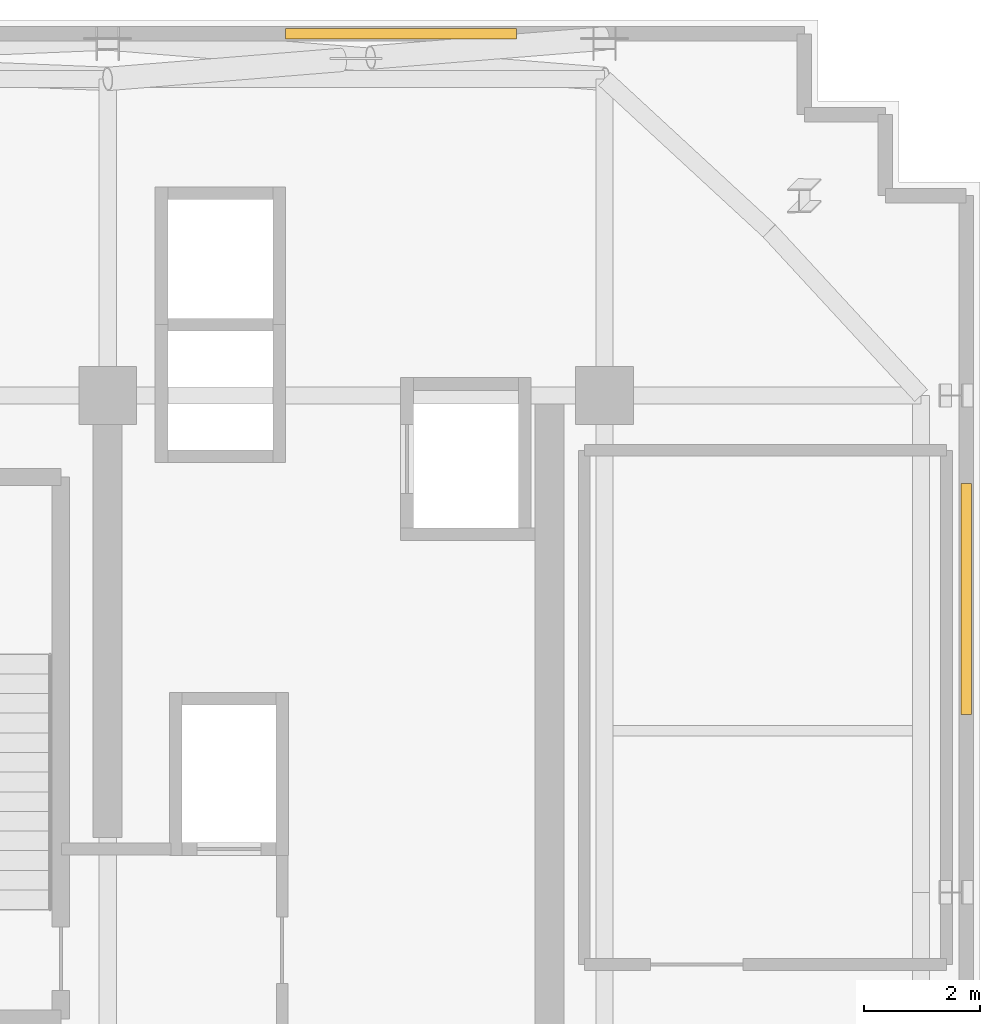
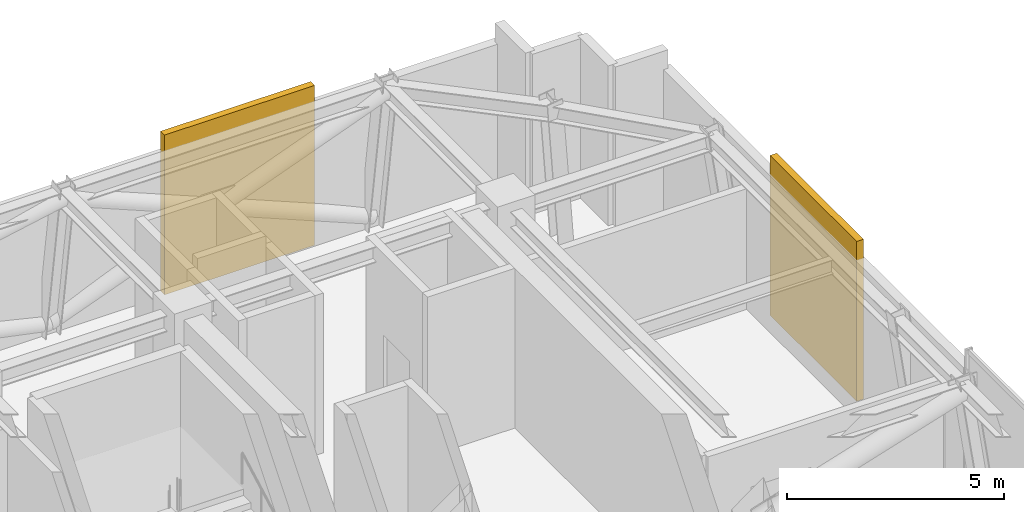
# One storey, part 15 of 15: 2 shading devices.
"""IFC4 building model written with IfcOpenShell, lengths in metres."""

from ifc_helpers import new_model, si_unit, direction, frame, origin, origin_2d, place, context, subcontext, project, spatial, rectangle, extrude, source, transform, mapped, material, layer, layer_set, type_object, element, save


model = new_model("IFC4")

# Units and contexts
model_context = context("Model", 3, precision=1e-05, world=origin(), true_north=direction((0.0, 1.0)))
body_context = subcontext(model_context, "Body", "Model", "MODEL_VIEW")
ifc_project = project(units=[si_unit("LENGTHUNIT", "METRE"), si_unit("AREAUNIT", "SQUARE_METRE"), si_unit("VOLUMEUNIT", "CUBIC_METRE"), si_unit("PLANEANGLEUNIT", "RADIAN"), si_unit("MASSUNIT", "GRAM", prefix="KILO")], contexts=[model_context])

# Site, building, storey
site_placement = place(None, origin())
site = spatial("IfcSite", under=ifc_project, at=site_placement, CompositionType="ELEMENT")
building_placement = place(site_placement, origin())
building = spatial("IfcBuilding", under=site, at=building_placement, Name="Nahalor Promenade Grand Hotel", CompositionType="ELEMENT")
storey_placement = place(building_placement, frame((0.0, 0.0, 261.5)))
storey = spatial("IfcBuildingStorey", under=building, at=storey_placement, Name="L67", CompositionType="ELEMENT", Elevation=261.5)

# Shading devices
ifc_material = material(Name="Anodised Bronze Aluminium EN AW-6063 T6", Category="aluminium")
ifc_layer = layer(ifc_material, 0.179931640625)
ifc_layer_set = layer_set([ifc_layer], Name="Anodised Bronze Aluminium EN AW-6063 T6")
shading_device_type = type_object("IfcShadingDeviceType", Name="Shade-PlantLouvre-Bronze", PredefinedType="USERDEFINED", material=ifc_layer_set)
shared_shape = source(origin(), body_context, "Body", "SweptSolid", [
    extrude(rectangle(XDim=4.0, YDim=0.179931640625, at=origin_2d()), origin(), (0.0, 0.0, 1.0), 4.5),
])
for number, where, z_axis, x_axis, name in (
    (1, (13.47998046875, 23.260009765625, 0.0), (0.0, 0.0, 1.0), (1.0, 0.0, 0.0), "LV-L67-NR"),
    (2, (23.260009765625, 13.47998046875, 0.0), (0.0, 0.0, 1.0), (0.0, 1.0, 0.0), "LV-L67-ER"),
):
    element("IfcShadingDevice", number, at=place(storey_placement, frame(where, z_axis=z_axis, x_axis=x_axis)), inside=storey, type_object=shading_device_type, Name=name, ObjectType="LOUVRE", PredefinedType="USERDEFINED", context=body_context, shape_type="MappedRepresentation", body=[
        mapped(shared_shape, transform((0.0, 0.0, 0.0), scale=1.0)),
    ])

save(model, "model.ifc")
